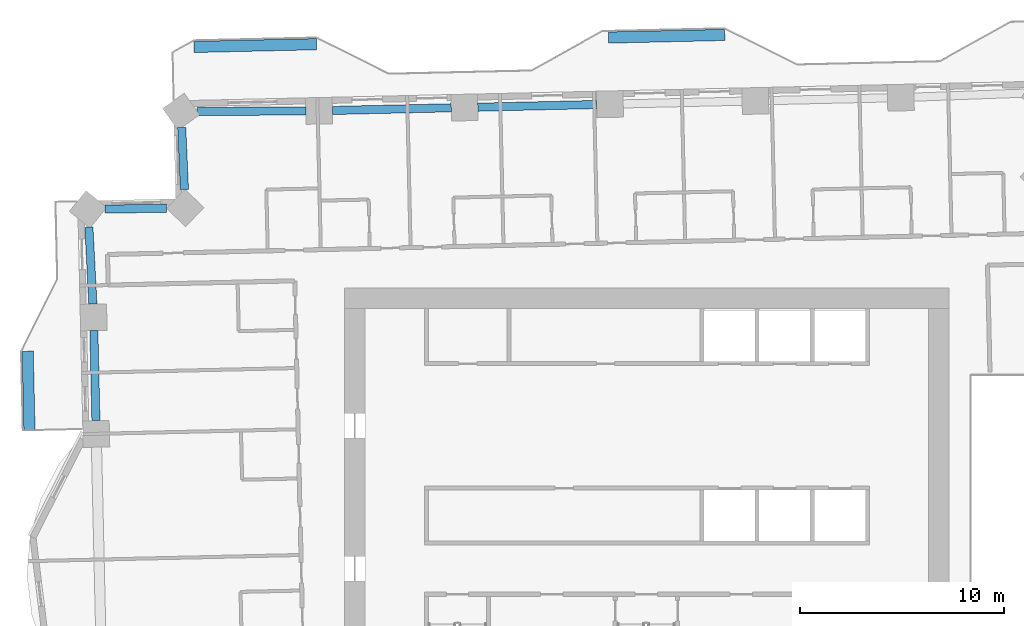
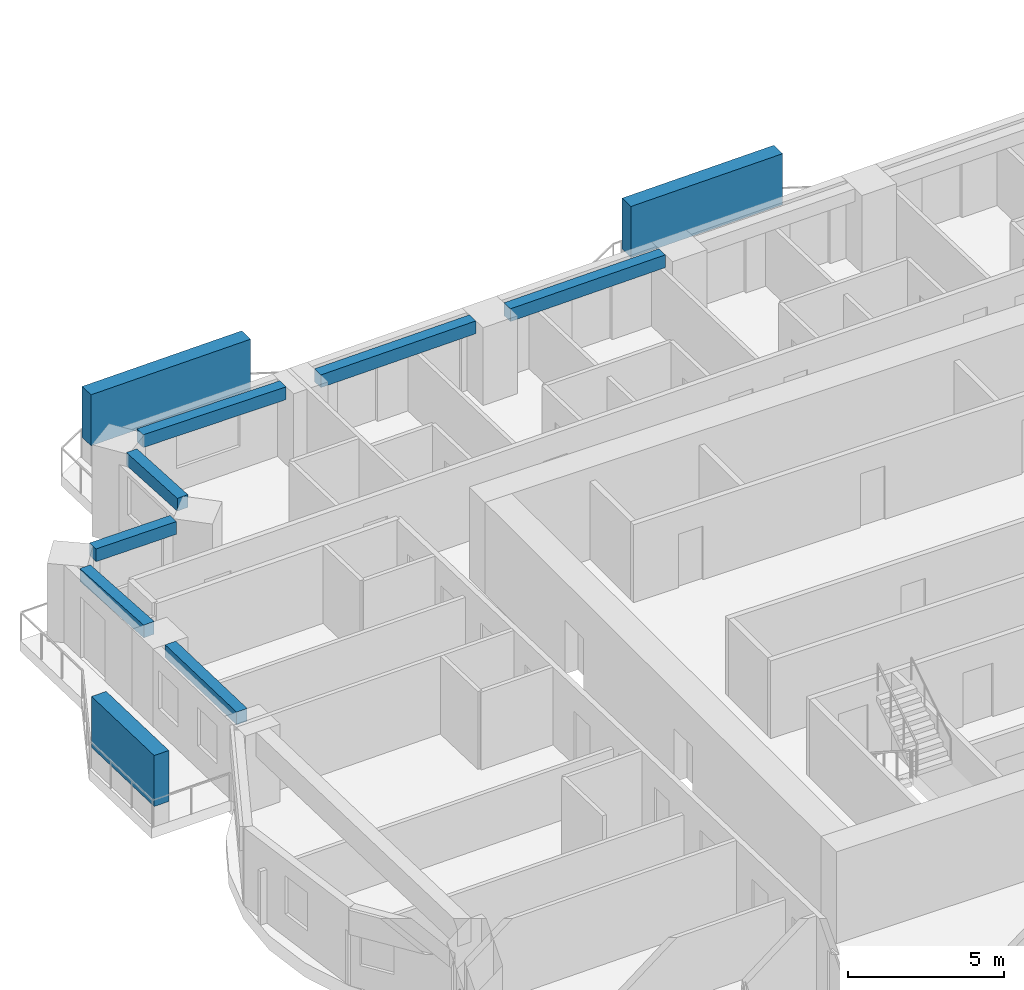
# One storey, part 3 of 16: 7 beams, 3 members.
"""IFC4 building model written with IfcOpenShell, lengths in metres."""

from ifc_helpers import new_model, si_unit, direction, frame, origin, origin_2d, place, context, subcontext, project, spatial, rectangle, extrude, material, material_profile, profile_set, type_object, element, save


model = new_model("IFC4")

# Units and contexts
model_context = context("Model", 3, precision=1e-05, world=origin(), true_north=direction((0.0, 1.0)))
body_context = subcontext(model_context, "Body", "Model", "MODEL_VIEW")
ifc_project = project(units=[si_unit("LENGTHUNIT", "METRE"), si_unit("AREAUNIT", "SQUARE_METRE"), si_unit("VOLUMEUNIT", "CUBIC_METRE"), si_unit("PLANEANGLEUNIT", "RADIAN"), si_unit("MASSUNIT", "GRAM", prefix="KILO")], contexts=[model_context])

# Site, building, storey
site_placement = place(None, origin())
site = spatial("IfcSite", under=ifc_project, at=site_placement, CompositionType="ELEMENT")
building_placement = place(site_placement, origin())
building = spatial("IfcBuilding", under=site, at=building_placement, Name="Mangrove Gate Tower", CompositionType="ELEMENT")
storey_placement = place(building_placement, frame((0.0, 0.0, 137.300048828125)))
storey = spatial("IfcBuildingStorey", under=building, at=storey_placement, Name="L34", CompositionType="ELEMENT", Elevation=137.300048828125)

# Members
ifc_material_1 = material(Name="Planting on aluminium trellis", Category="aluminium")
ifc_material_profile_1 = material_profile(ifc_material_1, rectangle(XDim=0.550048828125, YDim=2.0, at=origin_2d()))
ifc_profile_set_1 = profile_set([ifc_material_profile_1], Name="Planting on aluminium trellis")
member_type = type_object("IfcMemberType", Name="Balcony greenery screen 550x2000", PredefinedType="USERDEFINED", material=ifc_profile_set_1)
member_1_placement = place(storey_placement, frame((-1.884033203125, 24.06494140625, 1.800048828125), z_axis=(0.999743314836, 0.022656223003, 0.0), x_axis=(-0.022656223003, 0.999743314836, 0.0)))
element("IfcMember", 1, at=member_1_placement, inside=storey, type_object=member_type, Name="GREEN SCREEN L34 N0.1", ObjectType="PLANTING", PredefinedType="USERDEFINED", context=body_context, shape_type="SweptSolid", body=[
    extrude(rectangle(XDim=0.550048828125, YDim=2.0, at=origin_2d()), origin(), (0.0, 0.0, 1.0), 5.700439453125),
])
member_2_placement = place(storey_placement, frame((-22.178955078125, 23.60498046875, 1.800048828125), z_axis=(0.999743178102, 0.022662255828, 0.0), x_axis=(-0.022662255828, 0.999743178102, 0.0)))
element("IfcMember", 2, at=member_2_placement, inside=storey, type_object=member_type, Name="GREEN SCREEN L34 N1.1", ObjectType="PLANTING", PredefinedType="USERDEFINED", context=body_context, shape_type="SweptSolid", body=[
    extrude(rectangle(XDim=0.550048828125, YDim=2.0, at=origin_2d()), origin(), (0.0, 0.0, 1.0), 6.00048828125),
])
member_3_placement = place(storey_placement, frame((-30.240966796875, 4.826904296875, 1.800048828125), z_axis=(-0.022744303924, 0.999741314861, 0.0), x_axis=(-0.999741314861, -0.022744303924, 0.0)))
element("IfcMember", 3, at=member_3_placement, inside=storey, type_object=member_type, Name="GREEN SCREEN L34 W0.1", ObjectType="PLANTING", PredefinedType="USERDEFINED", context=body_context, shape_type="SweptSolid", body=[
    extrude(rectangle(XDim=0.550048828125, YDim=2.0, at=origin_2d()), origin(), (0.0, 0.0, 1.0), 3.875),
])

# Beams
ifc_material_2 = material(Name="Concrete C50/60", Category="concrete")
ifc_material_profile_2 = material_profile(ifc_material_2, rectangle(XDim=0.39990234375, YDim=0.5, at=origin_2d()))
ifc_profile_set_2 = profile_set([ifc_material_profile_2], Name="Concrete C50/60")
beam_type = type_object("IfcBeamType", Name="Edge beam RC 400x500 C50/60", PredefinedType="BEAM", material=ifc_profile_set_2)
beam_1_placement = place(storey_placement, frame((-2.458984375, 20.786376953125, 2.800048828125), z_axis=(-0.999741857186, -0.022720453126, 0.0), x_axis=(0.022720453126, -0.999741857186, 0.0)))
element("IfcBeam", 4, at=beam_1_placement, inside=storey, type_object=beam_type, Name="Edge beam L34 22", PredefinedType="BEAM", context=body_context, shape_type="SweptSolid", body=[
    extrude(rectangle(XDim=0.39990234375, YDim=0.5, at=origin_2d()), origin(), (0.0, 0.0, 1.0), 5.823974609375),
])
beam_2_placement = place(storey_placement, frame((-9.5810546875, 20.62451171875, 2.800048828125), z_axis=(-0.999744684453, -0.022595705507, 0.0), x_axis=(0.022595705507, -0.999744684453, 0.0)))
element("IfcBeam", 5, at=beam_2_placement, inside=storey, type_object=beam_type, Name="Edge beam L34 23", PredefinedType="BEAM", context=body_context, shape_type="SweptSolid", body=[
    extrude(rectangle(XDim=0.39990234375, YDim=0.5, at=origin_2d()), origin(), (0.0, 0.0, 1.0), 5.82373046875),
])
beam_3_placement = place(storey_placement, frame((-16.703369140625, 20.47412109375, 2.800048828125), z_axis=(-0.999979944176, -0.006333343995, 0.0), x_axis=(0.006333343995, -0.999979944176, 0.0)))
element("IfcBeam", 6, at=beam_3_placement, inside=storey, type_object=beam_type, Name="Edge beam L34 24", PredefinedType="BEAM", context=body_context, shape_type="SweptSolid", body=[
    extrude(rectangle(XDim=0.39990234375, YDim=0.5, at=origin_2d()), origin(), (0.0, 0.0, 1.0), 5.319580078125),
])
beam_4_placement = place(storey_placement, frame((-22.7822265625, 19.662841796875, 2.800048828125), z_axis=(0.04309999765, -0.999070763361, 0.0), x_axis=(0.999070763361, 0.04309999765, 0.0)))
element("IfcBeam", 7, at=beam_4_placement, inside=storey, type_object=beam_type, Name="Edge beam L34 25", PredefinedType="BEAM", context=body_context, shape_type="SweptSolid", body=[
    extrude(rectangle(XDim=0.39990234375, YDim=0.5, at=origin_2d()), origin(), (0.0, 0.0, 1.0), 3.047607421875),
])
beam_5_placement = place(storey_placement, frame((-23.523193359375, 15.705078125, 2.800048828125), z_axis=(-0.999902574754, -0.013958545805, 0.0), x_axis=(0.013958545805, -0.999902574754, 0.0)))
element("IfcBeam", 8, at=beam_5_placement, inside=storey, type_object=beam_type, Name="Edge beam L34 26", PredefinedType="BEAM", context=body_context, shape_type="SweptSolid", body=[
    extrude(rectangle(XDim=0.39990234375, YDim=0.5, at=origin_2d()), origin(), (0.0, 0.0, 1.0), 3.00830078125),
])
beam_6_placement = place(storey_placement, frame((-27.3291015625, 14.781982421875, 2.800048828125), z_axis=(0.05146940493, -0.998674571798, 0.0), x_axis=(0.998674571798, 0.05146940493, 0.0)))
element("IfcBeam", 9, at=beam_6_placement, inside=storey, type_object=beam_type, Name="Edge beam L34 27", PredefinedType="BEAM", context=body_context, shape_type="SweptSolid", body=[
    extrude(rectangle(XDim=0.39990234375, YDim=0.5, at=origin_2d()), origin(), (0.0, 0.0, 1.0), 3.775634765625),
])
beam_7_placement = place(storey_placement, frame((-27.08642578125, 9.7119140625, 2.800048828125), z_axis=(0.022745290406, -0.999741292417, 0.0), x_axis=(0.999741292417, 0.022745290406, 0.0)))
element("IfcBeam", 10, at=beam_7_placement, inside=storey, type_object=beam_type, Name="Edge beam L34 28", PredefinedType="BEAM", context=body_context, shape_type="SweptSolid", body=[
    extrude(rectangle(XDim=0.39990234375, YDim=0.5, at=origin_2d()), origin(), (0.0, 0.0, 1.0), 4.41162109375),
])

save(model, "model.ifc")
